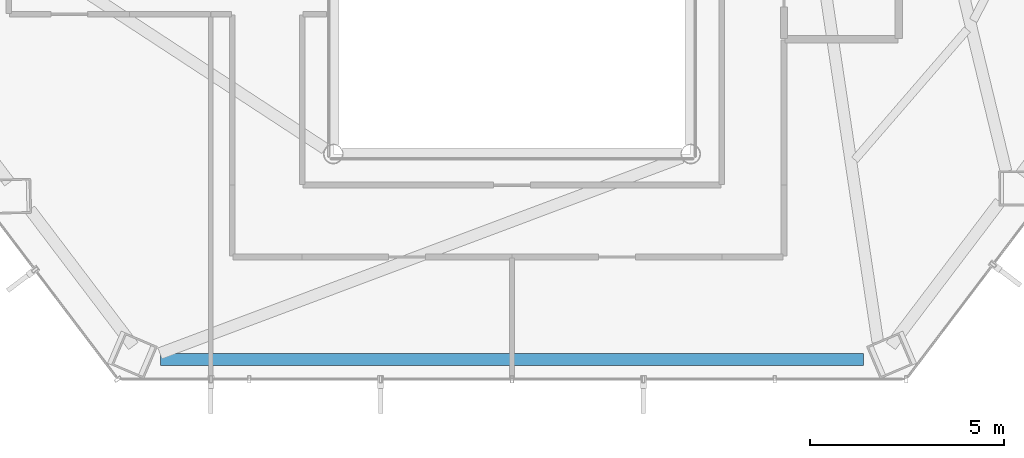
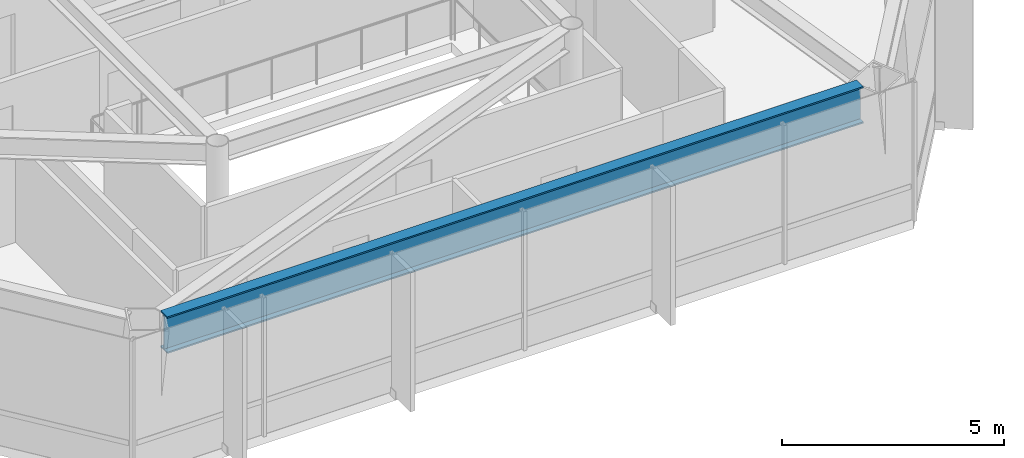
# One storey, part 7 of 27: 1 beam.
"""IFC4 building model written with IfcOpenShell, lengths in metres."""

from ifc_helpers import new_model, si_unit, direction, frame, origin, origin_2d, place, context, subcontext, project, spatial, i_section, extrude, material, material_profile, profile_set, type_object, element, save


model = new_model("IFC4")

# Units and contexts
model_context = context("Model", 3, precision=1e-05, world=origin(), true_north=direction((0.0, 1.0)))
body_context = subcontext(model_context, "Body", "Model", "MODEL_VIEW")
ifc_project = project(units=[si_unit("LENGTHUNIT", "METRE"), si_unit("AREAUNIT", "SQUARE_METRE"), si_unit("VOLUMEUNIT", "CUBIC_METRE"), si_unit("PLANEANGLEUNIT", "RADIAN"), si_unit("MASSUNIT", "GRAM", prefix="KILO")], contexts=[model_context])

# Site, building, storey
site_placement = place(None, origin())
site = spatial("IfcSite", under=ifc_project, at=site_placement, CompositionType="ELEMENT")
building_placement = place(site_placement, origin())
building = spatial("IfcBuilding", under=site, at=building_placement, Name="Zarrinselat Tower", CompositionType="ELEMENT")
storey_placement = place(building_placement, frame((0.0, 0.0, 80.580078125)))
storey = spatial("IfcBuildingStorey", under=building, at=storey_placement, Name="L19", CompositionType="ELEMENT", Elevation=80.580078125)

# Beam
ifc_material = material(Name="Steel S460M", Category="steel")
ifc_material_profile = material_profile(ifc_material, i_section(OverallWidth=0.302001953125, OverallDepth=1.008056640625, WebThickness=0.02099609375, FlangeThickness=0.0400390625, at=origin_2d()), Name="HEM 1000")
ifc_profile_set = profile_set([ifc_material_profile], Name="Steel S460M")
beam_type = type_object("IfcBeamType", Name="BM-HEM1000", PredefinedType="BEAM", material=ifc_profile_set)
beam_placement = place(storey_placement, frame((29.35546875, 19.110107421875, 3.31591796875), z_axis=(1.0, 0.0, 0.0), x_axis=(0.0, 1.0, 0.0)))
element("IfcBeam", 1, at=beam_placement, inside=storey, type_object=beam_type, Name="L19 Perimeter Spandrel Girder SP10", PredefinedType="BEAM", context=body_context, shape_type="SweptSolid", body=[
    extrude(i_section(OverallWidth=0.302001953125, OverallDepth=1.008056640625, WebThickness=0.02099609375, FlangeThickness=0.0400390625, at=origin_2d()), origin(), (0.0, 0.0, 1.0), 18.089111328125),
])

save(model, "model.ifc")
